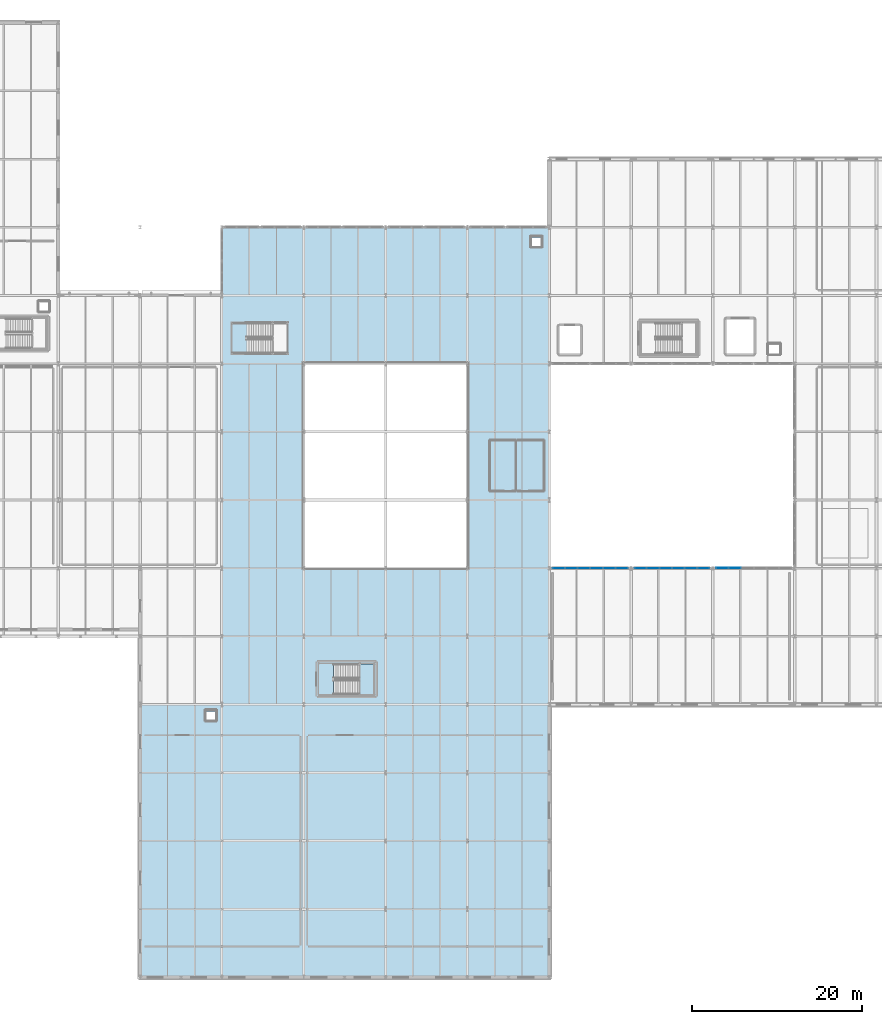
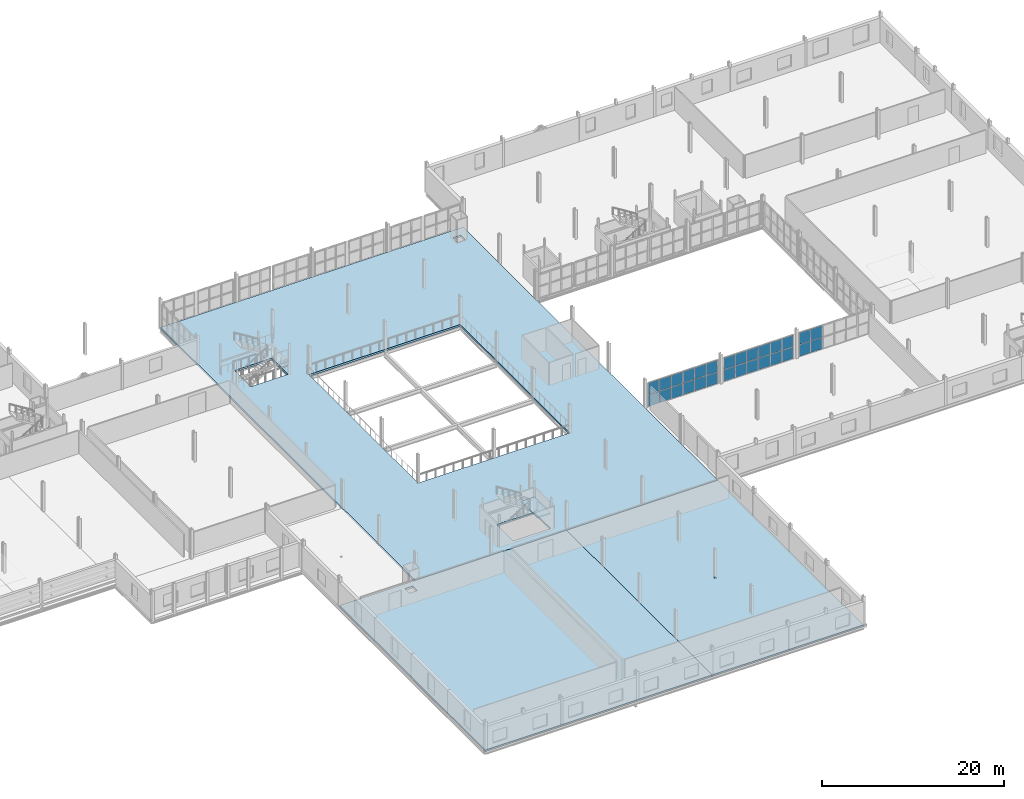
# One storey, part 49 of 78: 28 plates, 4 slabs, 4 elements without a shape of their own.
"""IFC4 building model written with IfcOpenShell, lengths in metres."""

from ifc_helpers import new_model, si_unit, direction, frame, origin, origin_2d, place, context, subcontext, project, spatial, polyline, rectangle, outline, extrude, material, layer, layer_set, type_object, element, aggregate, save


model = new_model("IFC4")

# Units and contexts
model_context = context("Model", 3, precision=1e-05, world=origin(), true_north=direction((0.0, 1.0)))
body_context = subcontext(model_context, "Body", "Model", "MODEL_VIEW")
ifc_project = project(units=[si_unit("LENGTHUNIT", "METRE"), si_unit("AREAUNIT", "SQUARE_METRE"), si_unit("VOLUMEUNIT", "CUBIC_METRE"), si_unit("PLANEANGLEUNIT", "RADIAN"), si_unit("MASSUNIT", "GRAM", prefix="KILO")], contexts=[model_context])

# Site, building, storey
site_placement = place(None, origin())
site = spatial("IfcSite", under=ifc_project, at=site_placement, CompositionType="ELEMENT")
building_placement = place(site_placement, origin())
building = spatial("IfcBuilding", under=site, at=building_placement, Name="Alderhovde Museum", CompositionType="ELEMENT")
storey_placement = place(building_placement, frame((0.0, 0.0, 4.5)))
storey = spatial("IfcBuildingStorey", under=building, at=storey_placement, Name="L01", CompositionType="ELEMENT", Elevation=4.5)

# Curtain wall, plates
ifc_material_1 = material(Name="Triple-Glazed Bronze-Anodised Curtain Wall", Category="glass")
ifc_layer_1 = layer(ifc_material_1, 0.179931640625)
ifc_layer_set_1 = layer_set([ifc_layer_1], Name="Triple-Glazed Bronze-Anodised Curtain Wall")
curtain_wall_type = type_object("IfcCurtainWallType", Name="CW-STIC-890x326", PredefinedType="USERDEFINED", material=ifc_layer_set_1)
curtain_wall_1_placement = place(storey_placement, origin())
curtain_wall_1 = element("IfcCurtainWall", 1, at=curtain_wall_1_placement, inside=storey, type_object=curtain_wall_type, Name="L01 Stick Curtain Wall 148", ObjectType="STICK CURTAIN WALL", PredefinedType="USERDEFINED")
ifc_material_2 = material(Name="Triple-Glazed Low-E Laminated Glass", Category="glass")
ifc_layer_2 = layer(ifc_material_2, 0.028076171875)
ifc_layer_set_2 = layer_set([ifc_layer_2], Name="Triple-Glazed Low-E Laminated Glass")
plate_type_1 = type_object("IfcPlateType", Name="CWP-GLAZ-28", PredefinedType="CURTAIN_PANEL", material=ifc_layer_set_2)
plate_1_placement = place(storey_placement, frame((125.907958984375, 48.0, 0.06494140625), z_axis=(0.0, 0.0, 1.0), x_axis=(1.0, 0.0, 0.0)))
plate_1 = element("IfcPlate", 2, at=plate_1_placement, type_object=plate_type_1, Name="CW35 panel 1.1", PredefinedType="CURTAIN_PANEL", context=body_context, shape_type="SweptSolid", body=[
    extrude(rectangle(XDim=1.3857421875, YDim=0.028076171875, at=origin_2d()), origin(), (0.0, 0.0, 1.0), 1.532470703125),
])
plate_2_placement = place(storey_placement, frame((125.907958984375, 48.0, 1.66259765625), z_axis=(0.0, 0.0, 1.0), x_axis=(1.0, 0.0, 0.0)))
plate_2 = element("IfcPlate", 3, at=plate_2_placement, type_object=plate_type_1, Name="CW35 panel 1.2", PredefinedType="CURTAIN_PANEL", context=body_context, shape_type="SweptSolid", body=[
    extrude(rectangle(XDim=1.3857421875, YDim=0.028076171875, at=origin_2d()), origin(), (0.0, 0.0, 1.0), 1.532470703125),
])
plate_3_placement = place(storey_placement, frame((127.375, 48.0, 0.06494140625), z_axis=(0.0, 0.0, 1.0), x_axis=(1.0, 0.0, 0.0)))
plate_3 = element("IfcPlate", 4, at=plate_3_placement, type_object=plate_type_1, Name="CW35 panel 2.1", PredefinedType="CURTAIN_PANEL", context=body_context, shape_type="SweptSolid", body=[
    extrude(rectangle(XDim=1.418212890625, YDim=0.028076171875, at=origin_2d()), origin(), (0.0, 0.0, 1.0), 1.532470703125),
])
plate_4_placement = place(storey_placement, frame((127.375, 48.0, 1.66259765625), z_axis=(0.0, 0.0, 1.0), x_axis=(1.0, 0.0, 0.0)))
plate_4 = element("IfcPlate", 5, at=plate_4_placement, type_object=plate_type_1, Name="CW35 panel 2.2", PredefinedType="CURTAIN_PANEL", context=body_context, shape_type="SweptSolid", body=[
    extrude(rectangle(XDim=1.418212890625, YDim=0.028076171875, at=origin_2d()), origin(), (0.0, 0.0, 1.0), 1.532470703125),
])
plate_5_placement = place(storey_placement, frame((128.8583984375, 48.0, 0.06494140625), z_axis=(0.0, 0.0, 1.0), x_axis=(1.0, 0.0, 0.0)))
plate_5 = element("IfcPlate", 6, at=plate_5_placement, type_object=plate_type_1, Name="CW35 panel 3.1", PredefinedType="CURTAIN_PANEL", context=body_context, shape_type="SweptSolid", body=[
    extrude(rectangle(XDim=1.418212890625, YDim=0.028076171875, at=origin_2d()), origin(), (0.0, 0.0, 1.0), 1.532470703125),
])
plate_6_placement = place(storey_placement, frame((128.8583984375, 48.0, 1.66259765625), z_axis=(0.0, 0.0, 1.0), x_axis=(1.0, 0.0, 0.0)))
plate_6 = element("IfcPlate", 7, at=plate_6_placement, type_object=plate_type_1, Name="CW35 panel 3.2", PredefinedType="CURTAIN_PANEL", context=body_context, shape_type="SweptSolid", body=[
    extrude(rectangle(XDim=1.418212890625, YDim=0.028076171875, at=origin_2d()), origin(), (0.0, 0.0, 1.0), 1.532470703125),
])
plate_7_placement = place(storey_placement, frame((130.341552734375, 48.0, 0.06494140625), z_axis=(0.0, 0.0, 1.0), x_axis=(1.0, 0.0, 0.0)))
plate_7 = element("IfcPlate", 8, at=plate_7_placement, type_object=plate_type_1, Name="CW35 panel 4.1", PredefinedType="CURTAIN_PANEL", context=body_context, shape_type="SweptSolid", body=[
    extrude(rectangle(XDim=1.418212890625, YDim=0.028076171875, at=origin_2d()), origin(), (0.0, 0.0, 1.0), 1.532470703125),
])
plate_8_placement = place(storey_placement, frame((130.341552734375, 48.0, 1.66259765625), z_axis=(0.0, 0.0, 1.0), x_axis=(1.0, 0.0, 0.0)))
plate_8 = element("IfcPlate", 9, at=plate_8_placement, type_object=plate_type_1, Name="CW35 panel 4.2", PredefinedType="CURTAIN_PANEL", context=body_context, shape_type="SweptSolid", body=[
    extrude(rectangle(XDim=1.418212890625, YDim=0.028076171875, at=origin_2d()), origin(), (0.0, 0.0, 1.0), 1.532470703125),
])
plate_9_placement = place(storey_placement, frame((131.824951171875, 48.0, 0.06494140625), z_axis=(0.0, 0.0, 1.0), x_axis=(1.0, 0.0, 0.0)))
plate_9 = element("IfcPlate", 10, at=plate_9_placement, type_object=plate_type_1, Name="CW35 panel 5.1", PredefinedType="CURTAIN_PANEL", context=body_context, shape_type="SweptSolid", body=[
    extrude(rectangle(XDim=1.418212890625, YDim=0.028076171875, at=origin_2d()), origin(), (0.0, 0.0, 1.0), 1.532470703125),
])
plate_10_placement = place(storey_placement, frame((131.824951171875, 48.0, 1.66259765625), z_axis=(0.0, 0.0, 1.0), x_axis=(1.0, 0.0, 0.0)))
plate_10 = element("IfcPlate", 11, at=plate_10_placement, type_object=plate_type_1, Name="CW35 panel 5.2", PredefinedType="CURTAIN_PANEL", context=body_context, shape_type="SweptSolid", body=[
    extrude(rectangle(XDim=1.418212890625, YDim=0.028076171875, at=origin_2d()), origin(), (0.0, 0.0, 1.0), 1.532470703125),
])
plate_11_placement = place(storey_placement, frame((133.2919921875, 48.0, 0.06494140625), z_axis=(0.0, 0.0, 1.0), x_axis=(1.0, 0.0, 0.0)))
plate_11 = element("IfcPlate", 12, at=plate_11_placement, type_object=plate_type_1, Name="CW35 panel 6.1", PredefinedType="CURTAIN_PANEL", context=body_context, shape_type="SweptSolid", body=[
    extrude(rectangle(XDim=1.3857421875, YDim=0.028076171875, at=origin_2d()), origin(), (0.0, 0.0, 1.0), 1.532470703125),
])
plate_12_placement = place(storey_placement, frame((133.2919921875, 48.0, 1.66259765625), z_axis=(0.0, 0.0, 1.0), x_axis=(1.0, 0.0, 0.0)))
plate_12 = element("IfcPlate", 13, at=plate_12_placement, type_object=plate_type_1, Name="CW35 panel 6.2", PredefinedType="CURTAIN_PANEL", context=body_context, shape_type="SweptSolid", body=[
    extrude(rectangle(XDim=1.3857421875, YDim=0.028076171875, at=origin_2d()), origin(), (0.0, 0.0, 1.0), 1.532470703125),
])
aggregate(curtain_wall_1, [plate_1, plate_2, plate_3, plate_4, plate_5, plate_6, plate_7, plate_8, plate_9, plate_10, plate_11, plate_12])

curtain_wall_2_placement = place(storey_placement, origin())
curtain_wall_2 = element("IfcCurtainWall", 14, at=curtain_wall_2_placement, inside=storey, type_object=curtain_wall_type, Name="L01 Stick Curtain Wall 145", ObjectType="STICK CURTAIN WALL", PredefinedType="USERDEFINED")
ifc_material_3 = material(Name="Triple-Glazed Low-E Laminated Glass", Category="glass")
ifc_layer_3 = layer(ifc_material_3, 0.035888671875)
ifc_layer_set_3 = layer_set([ifc_layer_3], Name="Triple-Glazed Low-E Laminated Glass")
plate_type_2 = type_object("IfcPlateType", Name="CWP-GLAZ-36", PredefinedType="CURTAIN_PANEL", material=ifc_layer_set_3)
plate_13_placement = place(storey_placement, frame((116.307861328125, 48.0, 0.06494140625), z_axis=(0.0, 0.0, 1.0), x_axis=(1.0, 0.0, 0.0)))
plate_13 = element("IfcPlate", 15, at=plate_13_placement, type_object=plate_type_2, Name="CW35 panel 1.1", PredefinedType="CURTAIN_PANEL", context=body_context, shape_type="SweptSolid", body=[
    extrude(rectangle(XDim=1.3857421875, YDim=0.035888671875, at=origin_2d()), origin(), (0.0, 0.0, 1.0), 1.532470703125),
])
plate_14_placement = place(storey_placement, frame((116.307861328125, 48.0, 1.66259765625), z_axis=(0.0, 0.0, 1.0), x_axis=(1.0, 0.0, 0.0)))
plate_14 = element("IfcPlate", 16, at=plate_14_placement, type_object=plate_type_2, Name="CW35 panel 1.2", PredefinedType="CURTAIN_PANEL", context=body_context, shape_type="SweptSolid", body=[
    extrude(rectangle(XDim=1.3857421875, YDim=0.035888671875, at=origin_2d()), origin(), (0.0, 0.0, 1.0), 1.532470703125),
])
plate_15_placement = place(storey_placement, frame((117.77490234375, 48.0, 0.06494140625), z_axis=(0.0, 0.0, 1.0), x_axis=(1.0, 0.0, 0.0)))
plate_15 = element("IfcPlate", 17, at=plate_15_placement, type_object=plate_type_2, Name="CW35 panel 2.1", PredefinedType="CURTAIN_PANEL", context=body_context, shape_type="SweptSolid", body=[
    extrude(rectangle(XDim=1.418212890625, YDim=0.035888671875, at=origin_2d()), origin(), (0.0, 0.0, 1.0), 1.532470703125),
])
plate_16_placement = place(storey_placement, frame((117.77490234375, 48.0, 1.66259765625), z_axis=(0.0, 0.0, 1.0), x_axis=(1.0, 0.0, 0.0)))
plate_16 = element("IfcPlate", 18, at=plate_16_placement, type_object=plate_type_2, Name="CW35 panel 2.2", PredefinedType="CURTAIN_PANEL", context=body_context, shape_type="SweptSolid", body=[
    extrude(rectangle(XDim=1.418212890625, YDim=0.035888671875, at=origin_2d()), origin(), (0.0, 0.0, 1.0), 1.532470703125),
])
plate_17_placement = place(storey_placement, frame((119.25830078125, 48.0, 0.06494140625), z_axis=(0.0, 0.0, 1.0), x_axis=(1.0, 0.0, 0.0)))
plate_17 = element("IfcPlate", 19, at=plate_17_placement, type_object=plate_type_2, Name="CW35 panel 3.1", PredefinedType="CURTAIN_PANEL", context=body_context, shape_type="SweptSolid", body=[
    extrude(rectangle(XDim=1.418212890625, YDim=0.035888671875, at=origin_2d()), origin(), (0.0, 0.0, 1.0), 1.532470703125),
])
plate_18_placement = place(storey_placement, frame((119.25830078125, 48.0, 1.66259765625), z_axis=(0.0, 0.0, 1.0), x_axis=(1.0, 0.0, 0.0)))
plate_18 = element("IfcPlate", 20, at=plate_18_placement, type_object=plate_type_2, Name="CW35 panel 3.2", PredefinedType="CURTAIN_PANEL", context=body_context, shape_type="SweptSolid", body=[
    extrude(rectangle(XDim=1.418212890625, YDim=0.035888671875, at=origin_2d()), origin(), (0.0, 0.0, 1.0), 1.532470703125),
])
plate_19_placement = place(storey_placement, frame((120.74169921875, 48.0, 0.06494140625), z_axis=(0.0, 0.0, 1.0), x_axis=(1.0, 0.0, 0.0)))
plate_19 = element("IfcPlate", 21, at=plate_19_placement, type_object=plate_type_2, Name="CW35 panel 4.1", PredefinedType="CURTAIN_PANEL", context=body_context, shape_type="SweptSolid", body=[
    extrude(rectangle(XDim=1.418212890625, YDim=0.035888671875, at=origin_2d()), origin(), (0.0, 0.0, 1.0), 1.532470703125),
])
plate_20_placement = place(storey_placement, frame((120.74169921875, 48.0, 1.66259765625), z_axis=(0.0, 0.0, 1.0), x_axis=(1.0, 0.0, 0.0)))
plate_20 = element("IfcPlate", 22, at=plate_20_placement, type_object=plate_type_2, Name="CW35 panel 4.2", PredefinedType="CURTAIN_PANEL", context=body_context, shape_type="SweptSolid", body=[
    extrude(rectangle(XDim=1.418212890625, YDim=0.035888671875, at=origin_2d()), origin(), (0.0, 0.0, 1.0), 1.532470703125),
])
plate_21_placement = place(storey_placement, frame((122.22509765625, 48.0, 0.06494140625), z_axis=(0.0, 0.0, 1.0), x_axis=(1.0, 0.0, 0.0)))
plate_21 = element("IfcPlate", 23, at=plate_21_placement, type_object=plate_type_2, Name="CW35 panel 5.1", PredefinedType="CURTAIN_PANEL", context=body_context, shape_type="SweptSolid", body=[
    extrude(rectangle(XDim=1.418212890625, YDim=0.035888671875, at=origin_2d()), origin(), (0.0, 0.0, 1.0), 1.532470703125),
])
plate_22_placement = place(storey_placement, frame((122.22509765625, 48.0, 1.66259765625), z_axis=(0.0, 0.0, 1.0), x_axis=(1.0, 0.0, 0.0)))
plate_22 = element("IfcPlate", 24, at=plate_22_placement, type_object=plate_type_2, Name="CW35 panel 5.2", PredefinedType="CURTAIN_PANEL", context=body_context, shape_type="SweptSolid", body=[
    extrude(rectangle(XDim=1.418212890625, YDim=0.035888671875, at=origin_2d()), origin(), (0.0, 0.0, 1.0), 1.532470703125),
])
plate_23_placement = place(storey_placement, frame((123.692138671875, 48.0, 0.06494140625), z_axis=(0.0, 0.0, 1.0), x_axis=(1.0, 0.0, 0.0)))
plate_23 = element("IfcPlate", 25, at=plate_23_placement, type_object=plate_type_2, Name="CW35 panel 6.1", PredefinedType="CURTAIN_PANEL", context=body_context, shape_type="SweptSolid", body=[
    extrude(rectangle(XDim=1.3857421875, YDim=0.035888671875, at=origin_2d()), origin(), (0.0, 0.0, 1.0), 1.532470703125),
])
plate_24_placement = place(storey_placement, frame((123.692138671875, 48.0, 1.66259765625), z_axis=(0.0, 0.0, 1.0), x_axis=(1.0, 0.0, 0.0)))
plate_24 = element("IfcPlate", 26, at=plate_24_placement, type_object=plate_type_2, Name="CW35 panel 6.2", PredefinedType="CURTAIN_PANEL", context=body_context, shape_type="SweptSolid", body=[
    extrude(rectangle(XDim=1.3857421875, YDim=0.035888671875, at=origin_2d()), origin(), (0.0, 0.0, 1.0), 1.532470703125),
])
aggregate(curtain_wall_2, [plate_13, plate_14, plate_15, plate_16, plate_17, plate_18, plate_19, plate_20, plate_21, plate_22, plate_23, plate_24])

curtain_wall_3_placement = place(storey_placement, origin())
curtain_wall_3 = element("IfcCurtainWall", 27, at=curtain_wall_3_placement, inside=storey, type_object=curtain_wall_type, Name="L01 Stick Curtain Wall 151", ObjectType="STICK CURTAIN WALL", PredefinedType="USERDEFINED")
ifc_material_4 = material(Name="Triple-Glazed Low-E Laminated Glass", Category="glass")
ifc_layer_4 = layer(ifc_material_4, 0.052001953125)
ifc_layer_set_4 = layer_set([ifc_layer_4], Name="Triple-Glazed Low-E Laminated Glass")
plate_type_3 = type_object("IfcPlateType", Name="CWP-GLAZ-52", PredefinedType="CURTAIN_PANEL", material=ifc_layer_set_4)
plate_25_placement = place(storey_placement, frame((135.5078125, 48.0, 0.06494140625), z_axis=(0.0, 0.0, 1.0), x_axis=(1.0, 0.0, 0.0)))
plate_25 = element("IfcPlate", 28, at=plate_25_placement, type_object=plate_type_3, Name="CW35 panel 1.1", PredefinedType="CURTAIN_PANEL", context=body_context, shape_type="SweptSolid", body=[
    extrude(rectangle(XDim=1.3857421875, YDim=0.052001953125, at=origin_2d()), origin(), (0.0, 0.0, 1.0), 1.532470703125),
])
plate_26_placement = place(storey_placement, frame((135.5078125, 48.0, 1.66259765625), z_axis=(0.0, 0.0, 1.0), x_axis=(1.0, 0.0, 0.0)))
plate_26 = element("IfcPlate", 29, at=plate_26_placement, type_object=plate_type_3, Name="CW35 panel 1.2", PredefinedType="CURTAIN_PANEL", context=body_context, shape_type="SweptSolid", body=[
    extrude(rectangle(XDim=1.3857421875, YDim=0.052001953125, at=origin_2d()), origin(), (0.0, 0.0, 1.0), 1.532470703125),
])
plate_27_placement = place(storey_placement, frame((136.97509765625, 48.0, 0.06494140625), z_axis=(0.0, 0.0, 1.0), x_axis=(1.0, 0.0, 0.0)))
plate_27 = element("IfcPlate", 30, at=plate_27_placement, type_object=plate_type_3, Name="CW35 panel 2.1", PredefinedType="CURTAIN_PANEL", context=body_context, shape_type="SweptSolid", body=[
    extrude(rectangle(XDim=1.418212890625, YDim=0.052001953125, at=origin_2d()), origin(), (0.0, 0.0, 1.0), 1.532470703125),
])
plate_28_placement = place(storey_placement, frame((136.97509765625, 48.0, 1.66259765625), z_axis=(0.0, 0.0, 1.0), x_axis=(1.0, 0.0, 0.0)))
plate_28 = element("IfcPlate", 31, at=plate_28_placement, type_object=plate_type_3, Name="CW35 panel 2.2", PredefinedType="CURTAIN_PANEL", context=body_context, shape_type="SweptSolid", body=[
    extrude(rectangle(XDim=1.418212890625, YDim=0.052001953125, at=origin_2d()), origin(), (0.0, 0.0, 1.0), 1.532470703125),
])
aggregate(curtain_wall_3, [plate_25, plate_26, plate_27, plate_28])

# Slabs
ifc_material_5 = material(Name="Concrete C35/45", Category="concrete")
ifc_layer_5 = layer(ifc_material_5, 0.260009765625)
ifc_layer_set_5 = layer_set([ifc_layer_5], Name="Concrete C35/45")
slab_type_1 = type_object("IfcSlabType", Name="SLB-FLR-260", PredefinedType="FLOOR", material=ifc_layer_set_5)
slab_1_placement = place(storey_placement, frame((0.0, 0.0, -0.260009765625)))
element("IfcSlab", 32, at=slab_1_placement, inside=storey, type_object=slab_type_1, Name="L01 VOL2 Structural Slab", PredefinedType="FLOOR", context=body_context, shape_type="SweptSolid", body=[
    extrude(outline(polyline([(76.800048828125, 32.0), (115.199951171875, 32.0), (115.199951171875, 88.0), (76.800048828125, 88.0), (76.800048828125, 32.0)]), holes=[polyline([(89.909912109375, 33.199951171875), (94.639892578125, 33.199951171875), (94.639892578125, 36.760009765625), (89.909912109375, 36.760009765625), (89.909912109375, 33.199951171875)]), polyline([(79.7099609375, 73.199951171875), (84.43994140625, 73.199951171875), (84.43994140625, 76.760009765625), (79.7099609375, 76.760009765625), (79.7099609375, 73.199951171875)]), polyline([(86.39990234375, 48.0), (105.60009765625, 48.0), (105.60009765625, 72.0), (86.39990234375, 72.0), (86.39990234375, 48.0)]), polyline([(113.199951171875, 85.800048828125), (114.199951171875, 85.800048828125), (114.199951171875, 86.800048828125), (113.199951171875, 86.800048828125), (113.199951171875, 85.800048828125)])]), origin(), (0.0, 0.0, 1.0), 0.260009765625),
])
slab_2_placement = place(storey_placement, frame((0.0, 0.0, -0.260009765625)))
element("IfcSlab", 33, at=slab_2_placement, inside=storey, type_object=slab_type_1, Name="L01 VOL3 Structural Slab", PredefinedType="FLOOR", context=body_context, shape_type="SweptSolid", body=[
    extrude(outline(polyline([(67.199951171875, 0.0), (96.0, 0.0), (96.0, 32.0), (67.199951171875, 32.0), (67.199951171875, 0.0)]), holes=[polyline([(75.0, 30.199951171875), (76.0, 30.199951171875), (76.0, 31.199951171875), (75.0, 31.199951171875), (75.0, 30.199951171875)])]), origin(), (0.0, 0.0, 1.0), 0.260009765625),
])
slab_3_placement = place(storey_placement, frame((0.0, 0.0, -0.260009765625)))
element("IfcSlab", 34, at=slab_3_placement, inside=storey, type_object=slab_type_1, Name="L01 VOL3 Structural Slab", PredefinedType="FLOOR", context=body_context, shape_type="SweptSolid", body=[
    extrude(outline(polyline([(96.0, 0.0), (115.199951171875, 0.0), (115.199951171875, 32.0), (96.0, 32.0), (96.0, 0.0)]), holes=[polyline([(105.489990234375, 15.889892578125), (105.7099609375, 15.889892578125), (105.7099609375, 16.110107421875), (105.489990234375, 16.110107421875), (105.489990234375, 15.889892578125)])]), origin(), (0.0, 0.0, 1.0), 0.260009765625),
])

# Stair, slab
ifc_material_6 = material(Name="Concrete C35/45", Category="concrete")
stair_type = type_object("IfcStairType", Name="STR-1500-4200", PredefinedType="HALF_TURN_STAIR", material=ifc_material_6)
stair_placement = place(storey_placement, origin())
stair = element("IfcStair", 35, at=stair_placement, inside=storey, type_object=stair_type, Name="L01 Escape Stair ST3", PredefinedType="HALF_TURN_STAIR")
ifc_material_7 = material(Name="Concrete C35/45", Category="concrete")
ifc_layer_6 = layer(ifc_material_7, 0.199951171875)
ifc_layer_set_6 = layer_set([ifc_layer_6], Name="Concrete C35/45")
slab_type_2 = type_object("IfcSlabType", Name="SLB-LANDING-200", PredefinedType="LANDING", material=ifc_layer_set_6)
slab_4_placement = place(storey_placement, frame((0.0, 0.0, 1.89990234375)))
slab_4 = element("IfcSlab", 36, at=slab_4_placement, type_object=slab_type_2, Name="ST3 landing 1", PredefinedType="LANDING", context=body_context, shape_type="SweptSolid", body=[
    extrude(outline(polyline([(92.9599609375, 33.199951171875), (94.639892578125, 33.199951171875), (94.639892578125, 36.760009765625), (92.9599609375, 36.760009765625), (92.9599609375, 33.199951171875)])), origin(), (0.0, 0.0, 1.0), 0.2001953125),
])
aggregate(stair, [slab_4])

save(model, "model.ifc")
